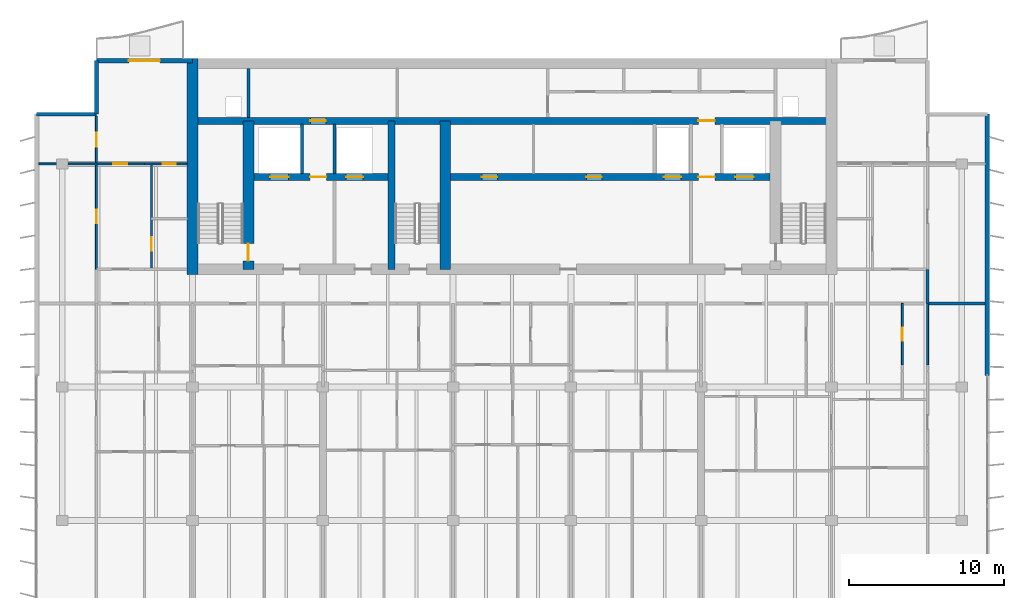
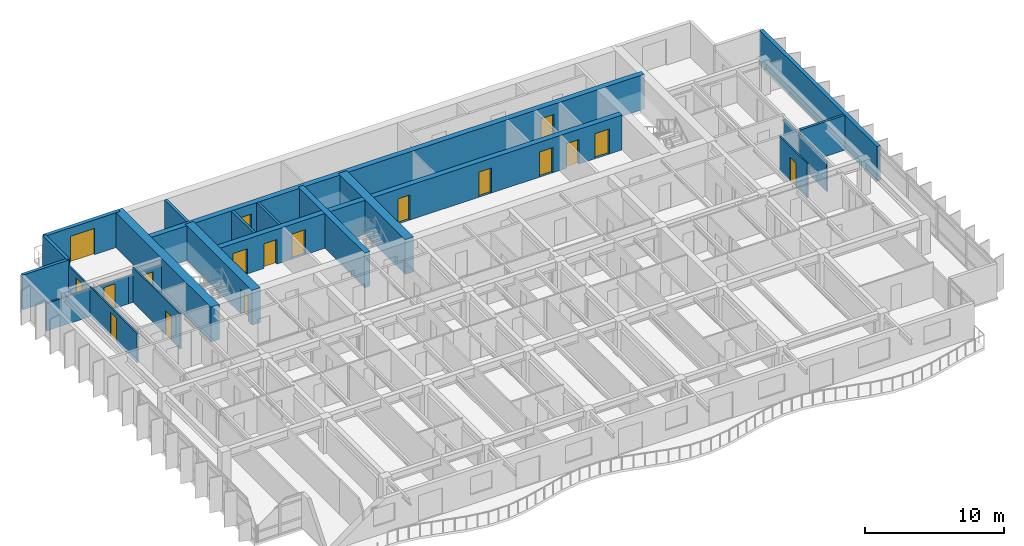
# One storey, part 10 of 17: 21 walls, 18 doors, 18 openings.
"""IFC4 building model written with IfcOpenShell, lengths in metres."""

from ifc_helpers import new_model, si_unit, direction, frame, frame_2d, origin, place, context, subcontext, project, spatial, rectangle, extrude, material, layer, layer_set, type_object, element, fill, save


model = new_model("IFC4")

# Units and contexts
model_context = context("Model", 3, precision=1e-05, world=origin(), true_north=direction((0.0, 1.0)))
body_context = subcontext(model_context, "Body", "Model", "MODEL_VIEW")
ifc_project = project(units=[si_unit("LENGTHUNIT", "METRE"), si_unit("AREAUNIT", "SQUARE_METRE"), si_unit("VOLUMEUNIT", "CUBIC_METRE"), si_unit("PLANEANGLEUNIT", "RADIAN"), si_unit("MASSUNIT", "GRAM", prefix="KILO")], contexts=[model_context])

# Site, building, storey
site_placement = place(None, origin())
site = spatial("IfcSite", under=ifc_project, at=site_placement, CompositionType="ELEMENT")
building_placement = place(site_placement, origin())
building = spatial("IfcBuilding", under=site, at=building_placement, Name="Caelmar Bay Residences", CompositionType="ELEMENT")
storey_placement = place(building_placement, frame((0.0, 0.0, 262.800048828125)))
storey = spatial("IfcBuildingStorey", under=building, at=storey_placement, Name="L74", CompositionType="ELEMENT", Elevation=262.800048828125)

# Wall
ifc_material_1 = material(Name="Concrete f'c 55 MPa (8,000 psi)", Category="concrete")
ifc_layer_1 = layer(ifc_material_1, 0.699951171875)
ifc_layer_set_1 = layer_set([ifc_layer_1], Name="Concrete f'c 55 MPa (8,000 psi)")
wall_type_1 = type_object("IfcWallType", Name="SW-COR-700", PredefinedType="SHEAR", material=ifc_layer_set_1)
wall_1_placement = place(storey_placement, frame((18.300048828125, 36.64990234375, 0.0), z_axis=(0.0, 0.0, 1.0), x_axis=(0.0, 1.0, 0.0)))
element("IfcWall", 1, at=wall_1_placement, inside=storey, type_object=wall_type_1, Name="L74 Rear Core West Shear Wall", PredefinedType="SHEAR", context=body_context, shape_type="SweptSolid", body=[
    extrude(rectangle(XDim=13.9501953125, YDim=0.699951171875, at=frame_2d((6.97509765625, 0.0))), origin(), (0.0, 0.0, 1.0), 3.050048828125),
])

# Wall, opening, door
wall_2_placement = place(storey_placement, frame((21.89990234375, 37.0, 0.0), z_axis=(0.0, 0.0, 1.0), x_axis=(0.0, 1.0, 0.0)))
wall_2 = element("IfcWall", 2, at=wall_2_placement, inside=storey, type_object=wall_type_1, Name="L74 Core Structural Web Wall ST1E", PredefinedType="SHEAR", context=body_context, shape_type="SweptSolid", body=[
    extrude(rectangle(XDim=9.574951171875, YDim=0.699951171875, at=frame_2d((4.78759765625, 0.0))), origin(), (0.0, 0.0, 1.0), 3.050048828125),
])
opening_1_placement = place(wall_2_placement, frame((0.550048828125, 0.0, 0.0)))
opening_1 = element("IfcOpeningElement", 3, at=opening_1_placement, cuts=wall_2, Name="Opening D-L74-107", PredefinedType="OPENING", context=body_context, shape_type="SweptSolid", body=[
    extrude(rectangle(XDim=1.10009765625, YDim=2.14990234375, at=frame_2d((0.550048828125, 1.074951171875))), frame((0.0, 0.35986328125, 0.0), z_axis=(0.0, -1.0, 0.0), x_axis=(1.0, 0.0, 0.0)), (0.0, 0.0, 1.0), 0.719970703125),
])
ifc_material_2 = material(Name="Fire-rated steel and walnut architectural door assembly", Category="steel")
ifc_layer_2 = layer(ifc_material_2, 0.050048828125)
ifc_layer_set_2 = layer_set([ifc_layer_2], Name="Fire-rated steel and walnut architectural door assembly")
door_type_1 = type_object("IfcDoorType", Name="D-STAIR-1100", OperationType="NOTDEFINED", PredefinedType="DOOR", material=ifc_layer_set_2)
door_1_placement = place(opening_1_placement, origin())
door_1 = element("IfcDoor", 4, at=door_1_placement, inside=storey, type_object=door_type_1, Name="L74 Firefighting Lobby West Door", OperationType="SINGLE_SWING_LEFT", OverallHeight=2.14990234375, OverallWidth=1.10009765625, PredefinedType="DOOR", context=body_context, shape_type="SweptSolid", body=[
    extrude(rectangle(XDim=1.10009765625, YDim=2.14990234375, at=frame_2d((0.550048828125, 1.074951171875))), frame((0.0, 0.02490234375, 0.0), z_axis=(0.0, -1.0, 0.0), x_axis=(1.0, 0.0, 0.0)), (0.0, 0.0, 1.0), 0.050048828125),
])
fill(opening_1, door_1)

# Walls
wall_3_placement = place(storey_placement, frame((34.60009765625, 37.0, 0.0), z_axis=(0.0, 0.0, 1.0), x_axis=(0.0, 1.0, 0.0)))
element("IfcWall", 5, at=wall_3_placement, inside=storey, type_object=wall_type_1, Name="L74 Core Structural Web Wall ST3E", PredefinedType="SHEAR", context=body_context, shape_type="SweptSolid", body=[
    extrude(rectangle(XDim=9.574951171875, YDim=0.699951171875, at=frame_2d((4.78759765625, 0.0))), origin(), (0.0, 0.0, 1.0), 3.050048828125),
])
ifc_material_3 = material(Name="Concrete f'c 70 MPa (10,000 psi)", Category="concrete")
ifc_layer_3 = layer(ifc_material_3, 0.449951171875)
ifc_layer_set_3 = layer_set([ifc_layer_3], Name="Concrete f'c 70 MPa (10,000 psi)")
wall_type_2 = type_object("IfcWallType", Name="SW-WEB-450", PredefinedType="SHEAR", material=ifc_layer_set_3)
wall_4_placement = place(storey_placement, frame((31.125, 37.0, 0.0), z_axis=(0.0, 0.0, 1.0), x_axis=(0.0, 1.0, 0.0)))
element("IfcWall", 6, at=wall_4_placement, inside=storey, type_object=wall_type_2, Name="L74 Core Structural Web Wall ST3W", PredefinedType="SHEAR", context=body_context, shape_type="SweptSolid", body=[
    extrude(rectangle(XDim=9.574951171875, YDim=0.449951171875, at=frame_2d((4.78759765625, 0.0))), origin(), (0.0, 0.0, 1.0), 3.050048828125),
])

# Wall, openings, doors
wall_5_placement = place(storey_placement, frame((22.25, 42.949951171875, 0.0), z_axis=(0.0, 0.0, 1.0), x_axis=(1.0, 0.0, 0.0)))
wall_5 = element("IfcWall", 7, at=wall_5_placement, inside=storey, type_object=wall_type_2, Name="L74 Core Structural Web Wall LFR", PredefinedType="SHEAR", context=body_context, shape_type="SweptSolid", body=[
    extrude(rectangle(XDim=33.300048828125, YDim=0.449951171875, at=frame_2d((16.64990234375, 0.0))), origin(), (0.0, 0.0, 1.0), 3.050048828125),
])
opening_2_placement = place(wall_5_placement, frame((1.050048828125, 0.0, 0.0)))
opening_2 = element("IfcOpeningElement", 8, at=opening_2_placement, cuts=wall_5, Name="Opening LD2", PredefinedType="OPENING", context=body_context, shape_type="SweptSolid", body=[
    extrude(rectangle(XDim=1.199951171875, YDim=2.199951171875, at=frame_2d((0.60009765625, 1.10009765625))), frame((0.0, 0.23486328125, 0.0), z_axis=(0.0, -1.0, 0.0), x_axis=(1.0, 0.0, 0.0)), (0.0, 0.0, 1.0), 0.469970703125),
])
opening_3_placement = place(wall_5_placement, frame((31.050048828125, 0.0, 0.0)))
opening_3 = element("IfcOpeningElement", 9, at=opening_3_placement, cuts=wall_5, Name="Opening LD2", PredefinedType="OPENING", context=body_context, shape_type="SweptSolid", body=[
    extrude(rectangle(XDim=1.199951171875, YDim=2.199951171875, at=frame_2d((0.60009765625, 1.10009765625))), frame((0.0, 0.23486328125, 0.0), z_axis=(0.0, -1.0, 0.0), x_axis=(1.0, 0.0, 0.0)), (0.0, 0.0, 1.0), 0.469970703125),
])
opening_4_placement = place(wall_5_placement, frame((26.449951171875, 0.0, 0.0)))
opening_4 = element("IfcOpeningElement", 10, at=opening_4_placement, cuts=wall_5, Name="Opening LD1", PredefinedType="OPENING", context=body_context, shape_type="SweptSolid", body=[
    extrude(rectangle(XDim=1.10009765625, YDim=2.199951171875, at=frame_2d((0.550048828125, 1.10009765625))), frame((0.0, 0.23486328125, 0.0), z_axis=(0.0, -1.0, 0.0), x_axis=(1.0, 0.0, 0.0)), (0.0, 0.0, 1.0), 0.469970703125),
])
opening_5_placement = place(wall_5_placement, frame((5.949951171875, 0.0, 0.0)))
opening_5 = element("IfcOpeningElement", 11, at=opening_5_placement, cuts=wall_5, Name="Opening LD1", PredefinedType="OPENING", context=body_context, shape_type="SweptSolid", body=[
    extrude(rectangle(XDim=1.10009765625, YDim=2.199951171875, at=frame_2d((0.550048828125, 1.10009765625))), frame((0.0, 0.23486328125, 0.0), z_axis=(0.0, -1.0, 0.0), x_axis=(1.0, 0.0, 0.0)), (0.0, 0.0, 1.0), 0.469970703125),
])
opening_6_placement = place(wall_5_placement, frame((3.625, 0.0, 0.0)))
opening_6 = element("IfcOpeningElement", 12, at=opening_6_placement, cuts=wall_5, Name="Opening D-L74-108", PredefinedType="OPENING", context=body_context, shape_type="SweptSolid", body=[
    extrude(rectangle(XDim=1.050048828125, YDim=2.14990234375, at=frame_2d((0.52490234375, 1.074951171875))), frame((0.0, 0.23486328125, 0.0), z_axis=(0.0, -1.0, 0.0), x_axis=(1.0, 0.0, 0.0)), (0.0, 0.0, 1.0), 0.469970703125),
])
opening_7_placement = place(wall_5_placement, frame((28.675048828125, 0.0, 0.0)))
opening_7 = element("IfcOpeningElement", 13, at=opening_7_placement, cuts=wall_5, Name="Opening D-L74-111", PredefinedType="OPENING", context=body_context, shape_type="SweptSolid", body=[
    extrude(rectangle(XDim=1.050048828125, YDim=2.14990234375, at=frame_2d((0.52490234375, 1.074951171875))), frame((0.0, 0.23486328125, 0.0), z_axis=(0.0, -1.0, 0.0), x_axis=(1.0, 0.0, 0.0)), (0.0, 0.0, 1.0), 0.469970703125),
])
opening_8_placement = place(wall_5_placement, frame((14.699951171875, 0.0, 0.0)))
opening_8 = element("IfcOpeningElement", 14, at=opening_8_placement, cuts=wall_5, Name="Opening D-L74-114", PredefinedType="OPENING", context=body_context, shape_type="SweptSolid", body=[
    extrude(rectangle(XDim=1.0, YDim=2.199951171875, at=frame_2d((0.5, 1.10009765625))), frame((0.0, 0.23486328125, 0.0), z_axis=(0.0, -1.0, 0.0), x_axis=(1.0, 0.0, 0.0)), (0.0, 0.0, 1.0), 0.469970703125),
])
opening_9_placement = place(wall_5_placement, frame((21.449951171875, 0.0, 0.0)))
opening_9 = element("IfcOpeningElement", 15, at=opening_9_placement, cuts=wall_5, Name="Opening D-L74-115", PredefinedType="OPENING", context=body_context, shape_type="SweptSolid", body=[
    extrude(rectangle(XDim=1.0, YDim=2.199951171875, at=frame_2d((0.5, 1.10009765625))), frame((0.0, 0.23486328125, 0.0), z_axis=(0.0, -1.0, 0.0), x_axis=(1.0, 0.0, 0.0)), (0.0, 0.0, 1.0), 0.469970703125),
])
ifc_layer_4 = layer(ifc_material_2, 0.050048828125)
ifc_layer_set_4 = layer_set([ifc_layer_4], Name="Fire-rated steel and walnut architectural door assembly")
door_type_2 = type_object("IfcDoorType", Name="D-FSAE-1050", OperationType="NOTDEFINED", PredefinedType="DOOR", material=ifc_layer_set_4)
door_2_placement = place(opening_6_placement, origin())
door_2 = element("IfcDoor", 16, at=door_2_placement, inside=storey, type_object=door_type_2, Name="L74 Firefighting Lobby West Door", OperationType="SINGLE_SWING_RIGHT", OverallHeight=2.14990234375, OverallWidth=1.050048828125, PredefinedType="DOOR", context=body_context, shape_type="SweptSolid", body=[
    extrude(rectangle(XDim=1.050048828125, YDim=2.14990234375, at=frame_2d((0.52490234375, 1.074951171875))), frame((0.0, 0.02490234375, 0.0), z_axis=(0.0, -1.0, 0.0), x_axis=(1.0, 0.0, 0.0)), (0.0, 0.0, 1.0), 0.050048828125),
])
fill(opening_6, door_2)
door_3_placement = place(opening_7_placement, origin())
door_3 = element("IfcDoor", 17, at=door_3_placement, inside=storey, type_object=door_type_2, Name="L74 Firefighting Lobby East Door", OperationType="SINGLE_SWING_LEFT", OverallHeight=2.14990234375, OverallWidth=1.050048828125, PredefinedType="DOOR", context=body_context, shape_type="SweptSolid", body=[
    extrude(rectangle(XDim=1.050048828125, YDim=2.14990234375, at=frame_2d((0.52490234375, 1.074951171875))), frame((0.0, 0.02490234375, 0.0), z_axis=(0.0, -1.0, 0.0), x_axis=(1.0, 0.0, 0.0)), (0.0, 0.0, 1.0), 0.050048828125),
])
fill(opening_7, door_3)
ifc_material_4 = material(Name="Brushed bronze stainless-steel fire-rated lift landing doors", Category="steel")
ifc_layer_5 = layer(ifc_material_4, 0.050048828125)
ifc_layer_set_5 = layer_set([ifc_layer_5], Name="Brushed bronze stainless-steel fire-rated lift landing doors")
door_type_3 = type_object("IfcDoorType", Name="D-LND-1100", OperationType="DOUBLE_DOOR_SLIDING", PredefinedType="DOOR", material=ifc_layer_set_5)
door_4_placement = place(opening_4_placement, origin())
door_4 = element("IfcDoor", 18, at=door_4_placement, inside=storey, type_object=door_type_3, Name="L74 LP6 Sliding Landing Door", OperationType="DOUBLE_DOOR_SLIDING", OverallHeight=2.199951171875, OverallWidth=1.10009765625, PredefinedType="DOOR", context=body_context, shape_type="SweptSolid", body=[
    extrude(rectangle(XDim=1.10009765625, YDim=2.199951171875, at=frame_2d((0.550048828125, 1.10009765625))), frame((0.0, 0.02490234375, 0.0), z_axis=(0.0, -1.0, 0.0), x_axis=(1.0, 0.0, 0.0)), (0.0, 0.0, 1.0), 0.050048828125),
])
fill(opening_4, door_4)
door_5_placement = place(opening_5_placement, origin())
door_5 = element("IfcDoor", 19, at=door_5_placement, inside=storey, type_object=door_type_3, Name="L74 LP7 Sliding Landing Door", OperationType="DOUBLE_DOOR_SLIDING", OverallHeight=2.199951171875, OverallWidth=1.10009765625, PredefinedType="DOOR", context=body_context, shape_type="SweptSolid", body=[
    extrude(rectangle(XDim=1.10009765625, YDim=2.199951171875, at=frame_2d((0.550048828125, 1.10009765625))), frame((0.0, 0.02490234375, 0.0), z_axis=(0.0, -1.0, 0.0), x_axis=(1.0, 0.0, 0.0)), (0.0, 0.0, 1.0), 0.050048828125),
])
fill(opening_5, door_5)
ifc_material_5 = material(Name="Brushed stainless-steel FSAE sliding landing door", Category="steel")
ifc_layer_6 = layer(ifc_material_5, 0.050048828125)
ifc_layer_set_6 = layer_set([ifc_layer_6], Name="Brushed stainless-steel FSAE sliding landing door")
door_type_4 = type_object("IfcDoorType", Name="D-LND-1200", OperationType="DOUBLE_DOOR_SLIDING", PredefinedType="DOOR", material=ifc_layer_set_6)
door_6_placement = place(opening_2_placement, origin())
door_6 = element("IfcDoor", 20, at=door_6_placement, inside=storey, type_object=door_type_4, Name="L74 LF1 Sliding Landing Door", OperationType="DOUBLE_DOOR_SLIDING", OverallHeight=2.199951171875, OverallWidth=1.199951171875, PredefinedType="DOOR", context=body_context, shape_type="SweptSolid", body=[
    extrude(rectangle(XDim=1.199951171875, YDim=2.199951171875, at=frame_2d((0.60009765625, 1.10009765625))), frame((0.0, 0.02490234375, 0.0), z_axis=(0.0, -1.0, 0.0), x_axis=(1.0, 0.0, 0.0)), (0.0, 0.0, 1.0), 0.050048828125),
])
fill(opening_2, door_6)
door_7_placement = place(opening_3_placement, origin())
door_7 = element("IfcDoor", 21, at=door_7_placement, inside=storey, type_object=door_type_4, Name="L74 LF2 Sliding Landing Door", OperationType="DOUBLE_DOOR_SLIDING", OverallHeight=2.199951171875, OverallWidth=1.199951171875, PredefinedType="DOOR", context=body_context, shape_type="SweptSolid", body=[
    extrude(rectangle(XDim=1.199951171875, YDim=2.199951171875, at=frame_2d((0.60009765625, 1.10009765625))), frame((0.0, 0.02490234375, 0.0), z_axis=(0.0, -1.0, 0.0), x_axis=(1.0, 0.0, 0.0)), (0.0, 0.0, 1.0), 0.050048828125),
])
fill(opening_3, door_7)
ifc_layer_7 = layer(ifc_material_2, 0.050048828125)
ifc_layer_set_7 = layer_set([ifc_layer_7], Name="Fire-rated steel and walnut architectural door assembly")
door_type_5 = type_object("IfcDoorType", Name="D-UNIT-1000", OperationType="NOTDEFINED", PredefinedType="DOOR", material=ifc_layer_set_7)
door_8_placement = place(opening_8_placement, origin())
door_8 = element("IfcDoor", 22, at=door_8_placement, inside=storey, type_object=door_type_5, Name="L74 Executive Study Door", OperationType="SINGLE_SWING_RIGHT", OverallHeight=2.199951171875, OverallWidth=1.0, PredefinedType="DOOR", context=body_context, shape_type="SweptSolid", body=[
    extrude(rectangle(XDim=1.0, YDim=2.199951171875, at=frame_2d((0.5, 1.10009765625))), frame((0.0, 0.02490234375, 0.0), z_axis=(0.0, -1.0, 0.0), x_axis=(1.0, 0.0, 0.0)), (0.0, 0.0, 1.0), 0.050048828125),
])
fill(opening_8, door_8)
door_9_placement = place(opening_9_placement, origin())
door_9 = element("IfcDoor", 23, at=door_9_placement, inside=storey, type_object=door_type_5, Name="L74 Residents Reading Lounge Door", OperationType="SINGLE_SWING_LEFT", OverallHeight=2.199951171875, OverallWidth=1.0, PredefinedType="DOOR", context=body_context, shape_type="SweptSolid", body=[
    extrude(rectangle(XDim=1.0, YDim=2.199951171875, at=frame_2d((0.5, 1.10009765625))), frame((0.0, 0.02490234375, 0.0), z_axis=(0.0, -1.0, 0.0), x_axis=(1.0, 0.0, 0.0)), (0.0, 0.0, 1.0), 0.050048828125),
])
fill(opening_9, door_9)

wall_6_placement = place(storey_placement, frame((18.300048828125, 46.574951171875, 0.0), z_axis=(0.0, 0.0, 1.0), x_axis=(1.0, 0.0, 0.0)))
wall_6 = element("IfcWall", 24, at=wall_6_placement, inside=storey, type_object=wall_type_2, Name="L74 Core Structural Web Wall SRVS", PredefinedType="SHEAR", context=body_context, shape_type="SweptSolid", body=[
    extrude(rectangle(XDim=41.199951171875, YDim=0.449951171875, at=frame_2d((20.60009765625, 0.0))), origin(), (0.0, 0.0, 1.0), 3.050048828125),
])
opening_10_placement = place(wall_6_placement, frame((7.60009765625, 0.0, 0.0)))
opening_10 = element("IfcOpeningElement", 25, at=opening_10_placement, cuts=wall_6, Name="Opening D-L74-116", PredefinedType="OPENING", context=body_context, shape_type="SweptSolid", body=[
    extrude(rectangle(XDim=1.0, YDim=2.199951171875, at=frame_2d((0.5, 1.10009765625))), frame((0.0, 0.23486328125, 0.0), z_axis=(0.0, -1.0, 0.0), x_axis=(1.0, 0.0, 0.0)), (0.0, 0.0, 1.0), 0.469970703125),
])
opening_11_placement = place(wall_6_placement, frame((32.625, 0.0, 0.0)))
opening_11 = element("IfcOpeningElement", 26, at=opening_11_placement, cuts=wall_6, Name="Opening D-L74-117", PredefinedType="OPENING", context=body_context, shape_type="SweptSolid", body=[
    extrude(rectangle(XDim=1.050048828125, YDim=2.14990234375, at=frame_2d((0.52490234375, 1.074951171875))), frame((0.0, 0.23486328125, 0.0), z_axis=(0.0, -1.0, 0.0), x_axis=(1.0, 0.0, 0.0)), (0.0, 0.0, 1.0), 0.469970703125),
])
door_10_placement = place(opening_11_placement, origin())
door_10 = element("IfcDoor", 27, at=door_10_placement, inside=storey, type_object=door_type_2, Name="L74 East Core Service Corridor Door", OperationType="SINGLE_SWING_LEFT", OverallHeight=2.14990234375, OverallWidth=1.050048828125, PredefinedType="DOOR", context=body_context, shape_type="SweptSolid", body=[
    extrude(rectangle(XDim=1.050048828125, YDim=2.14990234375, at=frame_2d((0.52490234375, 1.074951171875))), frame((0.0, 0.02490234375, 0.0), z_axis=(0.0, -1.0, 0.0), x_axis=(1.0, 0.0, 0.0)), (0.0, 0.0, 1.0), 0.050048828125),
])
fill(opening_11, door_10)
door_11_placement = place(opening_10_placement, origin())
door_11 = element("IfcDoor", 28, at=door_11_placement, inside=storey, type_object=door_type_5, Name="L74 Package Concierge Office Door", OperationType="SINGLE_SWING_RIGHT", OverallHeight=2.199951171875, OverallWidth=1.0, PredefinedType="DOOR", context=body_context, shape_type="SweptSolid", body=[
    extrude(rectangle(XDim=1.0, YDim=2.199951171875, at=frame_2d((0.5, 1.10009765625))), frame((0.0, 0.02490234375, 0.0), z_axis=(0.0, -1.0, 0.0), x_axis=(1.0, 0.0, 0.0)), (0.0, 0.0, 1.0), 0.050048828125),
])
fill(opening_10, door_11)

# Walls
ifc_material_6 = material(Name="Double-stud acoustic fire-rated gypsum partition 180 mm")
ifc_layer_8 = layer(ifc_material_6, 0.179931640625)
ifc_layer_set_8 = layer_set([ifc_layer_8], Name="Double-stud acoustic fire-rated gypsum partition 180 mm")
wall_type_3 = type_object("IfcWallType", Name="W-COR-200", PredefinedType="PARTITIONING", material=ifc_layer_set_8)
wall_7_placement = place(storey_placement, frame((65.699951171875, 34.804931640625, 0.0), z_axis=(0.0, 0.0, 1.0), x_axis=(0.0, 1.0, 0.0)))
element("IfcWall", 29, at=wall_7_placement, inside=storey, type_object=wall_type_3, Name="L74 Partition Wall V102", PredefinedType="PARTITIONING", context=body_context, shape_type="SweptSolid", body=[
    extrude(rectangle(XDim=2.195068359375, YDim=0.179931640625, at=frame_2d((1.09765625, 0.0))), origin(), (0.0, 0.0, 1.0), 2.62890625),
])
ifc_material_7 = material(Name="Precast concrete f'c 40 MPa (6,000 psi)", Category="concrete")
ifc_layer_9 = layer(ifc_material_7, 0.25)
ifc_layer_set_9 = layer_set([ifc_layer_9], Name="Precast concrete f'c 40 MPa (6,000 psi)")
wall_type_4 = type_object("IfcWallType", Name="W-EXT-250", PredefinedType="ELEMENTEDWALL", material=ifc_layer_set_9)
wall_8_placement = place(storey_placement, frame((8.25, 47.0, 0.0), z_axis=(0.0, 0.0, 1.0), x_axis=(1.0, 0.0, 0.0)))
element("IfcWall", 30, at=wall_8_placement, inside=storey, type_object=wall_type_4, Name="L74 NNW-H Notch Wall", PredefinedType="ELEMENTEDWALL", context=body_context, shape_type="SweptSolid", body=[
    extrude(rectangle(XDim=3.85009765625, YDim=0.25, at=frame_2d((1.925048828125, 0.0))), origin(), (0.0, 0.0, 1.0), 3.050048828125),
])
wall_9_placement = place(storey_placement, frame((12.10009765625, 47.0, 0.0), z_axis=(0.0, 0.0, 1.0), x_axis=(0.0, 1.0, 0.0)))
element("IfcWall", 31, at=wall_9_placement, inside=storey, type_object=wall_type_4, Name="L74 NNW-V Notch Wall", PredefinedType="ELEMENTEDWALL", context=body_context, shape_type="SweptSolid", body=[
    extrude(rectangle(XDim=3.449951171875, YDim=0.25, at=frame_2d((1.72509765625, 0.0))), origin(), (0.0, 0.0, 1.0), 3.050048828125),
])
ifc_layer_10 = layer(ifc_material_7, 0.300048828125)
ifc_layer_set_10 = layer_set([ifc_layer_10], Name="Precast concrete f'c 40 MPa (6,000 psi)")
wall_type_5 = type_object("IfcWallType", Name="W-EXT-300", PredefinedType="STANDARD", material=ifc_layer_set_10)
wall_10_placement = place(storey_placement, frame((69.550048828125, 47.0, 0.0), z_axis=(0.0, 0.0, 1.0), x_axis=(0.0, -1.0, 0.0)))
element("IfcWall", 32, at=wall_10_placement, inside=storey, type_object=wall_type_5, Name="L74 East Rear Exterior Wall", PredefinedType="STANDARD", context=body_context, shape_type="SweptSolid", body=[
    extrude(rectangle(XDim=16.85009765625, YDim=0.300048828125, at=frame_2d((8.425048828125, 0.0))), origin(), (0.0, 0.0, 1.0), 3.050048828125),
])

# Wall, opening, door
wall_11_placement = place(storey_placement, frame((12.10009765625, 50.449951171875, 0.0), z_axis=(0.0, 0.0, 1.0), x_axis=(1.0, 0.0, 0.0)))
wall_11 = element("IfcWall", 33, at=wall_11_placement, inside=storey, type_object=wall_type_5, Name="L74 North-West Wing Exterior Wall", PredefinedType="STANDARD", context=body_context, shape_type="SweptSolid", body=[
    extrude(rectangle(XDim=6.199951171875, YDim=0.300048828125, at=frame_2d((3.10009765625, 0.0))), origin(), (0.0, 0.0, 1.0), 3.050048828125),
])
opening_12_placement = place(wall_11_placement, frame((2.10009765625, 0.0, 0.0)))
opening_12 = element("IfcOpeningElement", 34, at=opening_12_placement, cuts=wall_11, Name="Opening L74-BDNW", PredefinedType="OPENING", context=body_context, shape_type="SweptSolid", body=[
    extrude(rectangle(XDim=2.0, YDim=2.300048828125, at=frame_2d((1.0, 1.14990234375))), frame((0.0, 0.159912109375, 0.0), z_axis=(0.0, -1.0, 0.0), x_axis=(1.0, 0.0, 0.0)), (0.0, 0.0, 1.0), 0.320068359375),
])
ifc_material_8 = material(Name="Anodised bronze thermally broken sliding glass door", Category="glass")
ifc_layer_11 = layer(ifc_material_8, 0.050048828125)
ifc_layer_set_11 = layer_set([ifc_layer_11], Name="Anodised bronze thermally broken sliding glass door")
door_type_6 = type_object("IfcDoorType", Name="D-BAL-2000", OperationType="DOUBLE_DOOR_SLIDING", PredefinedType="DOOR", material=ifc_layer_set_11)
door_12_placement = place(opening_12_placement, origin())
door_12 = element("IfcDoor", 35, at=door_12_placement, inside=storey, type_object=door_type_6, Name="L74 North-West Balcony Door", OperationType="DOUBLE_DOOR_SLIDING", OverallHeight=2.300048828125, OverallWidth=2.0, PredefinedType="DOOR", context=body_context, shape_type="SweptSolid", body=[
    extrude(rectangle(XDim=2.0, YDim=2.300048828125, at=frame_2d((1.0, 1.14990234375))), frame((0.0, 0.02490234375, 0.0), z_axis=(0.0, -1.0, 0.0), x_axis=(1.0, 0.0, 0.0)), (0.0, 0.0, 1.0), 0.050048828125),
])
fill(opening_12, door_12)

# Walls
ifc_material_9 = material(Name="Fire-rated masonry and gypsum shaftliner assembly 200 mm", Category="masonry")
ifc_layer_12 = layer(ifc_material_9, 0.199951171875)
ifc_layer_set_12 = layer_set([ifc_layer_12], Name="Fire-rated masonry and gypsum shaftliner assembly 200 mm")
wall_type_6 = type_object("IfcWallType", Name="W-FSAE-200", PredefinedType="PARTITIONING", material=ifc_layer_set_12)
wall_12_placement = place(storey_placement, frame((21.89990234375, 46.794921875, 0.0), z_axis=(0.0, 0.0, 1.0), x_axis=(0.0, 1.0, 0.0)))
element("IfcWall", 36, at=wall_12_placement, inside=storey, type_object=wall_type_6, Name="L74 Partition Wall V021", PredefinedType="PARTITIONING", context=body_context, shape_type="SweptSolid", body=[
    extrude(rectangle(XDim=3.16015625, YDim=0.199951171875, at=frame_2d((1.580078125, 0.0))), origin(), (0.0, 0.0, 1.0), 3.050048828125),
])
for number, where, z_axis, x_axis, name in (
    (37, (25.35009765625, 43.169921875, 0.0), (0.0, 0.0, 1.0), (0.0, 1.0, 0.0), "L74 Partition Wall V028"),
    (38, (27.449951171875, 43.169921875, 0.0), (0.0, 0.0, 1.0), (0.0, 1.0, 0.0), "L74 Partition Wall V035"),
):
    element("IfcWall", number, at=place(storey_placement, frame(where, z_axis=z_axis, x_axis=x_axis)), inside=storey, type_object=wall_type_6, Name=name, PredefinedType="PARTITIONING", context=body_context, shape_type="SweptSolid", body=[
        extrude(rectangle(XDim=3.18505859375, YDim=0.199951171875, at=frame_2d((1.592529296875, 0.0))), origin(), (0.0, 0.0, 1.0), 3.050048828125),
    ])

# Wall, openings, doors
ifc_material_10 = material(Name="Acoustic metal-stud gypsum partition 120 mm")
ifc_layer_13 = layer(ifc_material_10, 0.1201171875)
ifc_layer_set_13 = layer_set([ifc_layer_13], Name="Acoustic metal-stud gypsum partition 120 mm")
wall_type_7 = type_object("IfcWallType", Name="W-PRT-120", PredefinedType="PARTITIONING", material=ifc_layer_set_13)
wall_13_placement = place(storey_placement, frame((12.10009765625, 37.0048828125, 0.0), z_axis=(0.0, 0.0, 1.0), x_axis=(0.0, 1.0, 0.0)))
wall_13 = element("IfcWall", 39, at=wall_13_placement, inside=storey, type_object=wall_type_7, Name="L74 Partition Wall V007", PredefinedType="PARTITIONING", context=body_context, shape_type="SweptSolid", body=[
    extrude(rectangle(XDim=9.875, YDim=0.1201171875, at=frame_2d((4.9375, 0.0))), origin(), (0.0, 0.0, 1.0), 2.577880859375),
])
opening_13_placement = place(wall_13_placement, frame((2.947509765625, 0.0, 0.0)))
opening_13 = element("IfcOpeningElement", 40, at=opening_13_placement, cuts=wall_13, Name="Opening D-L74-171", PredefinedType="OPENING", context=body_context, shape_type="SweptSolid", body=[
    extrude(rectangle(XDim=0.89990234375, YDim=2.14990234375, at=frame_2d((0.449951171875, 1.074951171875))), frame((0.0, 0.070068359375, 0.0), z_axis=(0.0, -1.0, 0.0), x_axis=(1.0, 0.0, 0.0)), (0.0, 0.0, 1.0), 0.14013671875),
])
opening_14_placement = place(wall_13_placement, frame((7.885009765625, 0.0, 0.0)))
opening_14 = element("IfcOpeningElement", 41, at=opening_14_placement, cuts=wall_13, Name="Opening D-L74-172", PredefinedType="OPENING", context=body_context, shape_type="SweptSolid", body=[
    extrude(rectangle(XDim=0.89990234375, YDim=2.14990234375, at=frame_2d((0.449951171875, 1.074951171875))), frame((0.0, 0.070068359375, 0.0), z_axis=(0.0, -1.0, 0.0), x_axis=(1.0, 0.0, 0.0)), (0.0, 0.0, 1.0), 0.14013671875),
])
ifc_material_11 = material(Name="Solid walnut timber interior door leaf and frame", Category="wood")
ifc_layer_14 = layer(ifc_material_11, 0.050048828125)
ifc_layer_set_14 = layer_set([ifc_layer_14], Name="Solid walnut timber interior door leaf and frame")
door_type_7 = type_object("IfcDoorType", Name="D-ROOM-900", OperationType="NOTDEFINED", PredefinedType="DOOR", material=ifc_layer_set_14)
door_13_placement = place(opening_13_placement, origin())
door_13 = element("IfcDoor", 42, at=door_13_placement, inside=storey, type_object=door_type_7, Name="L74 Residence WA Sun Study Door", OperationType="SINGLE_SWING_LEFT", OverallHeight=2.14990234375, OverallWidth=0.89990234375, PredefinedType="DOOR", context=body_context, shape_type="SweptSolid", body=[
    extrude(rectangle(XDim=0.89990234375, YDim=2.14990234375, at=frame_2d((0.449951171875, 1.074951171875))), frame((0.0, 0.02490234375, 0.0), z_axis=(0.0, -1.0, 0.0), x_axis=(1.0, 0.0, 0.0)), (0.0, 0.0, 1.0), 0.050048828125),
])
fill(opening_13, door_13)
door_14_placement = place(opening_14_placement, origin())
door_14 = element("IfcDoor", 43, at=door_14_placement, inside=storey, type_object=door_type_7, Name="L74 Residence WA North Sitting Alcove Door", OperationType="SINGLE_SWING_RIGHT", OverallHeight=2.14990234375, OverallWidth=0.89990234375, PredefinedType="DOOR", context=body_context, shape_type="SweptSolid", body=[
    extrude(rectangle(XDim=0.89990234375, YDim=2.14990234375, at=frame_2d((0.449951171875, 1.074951171875))), frame((0.0, 0.02490234375, 0.0), z_axis=(0.0, -1.0, 0.0), x_axis=(1.0, 0.0, 0.0)), (0.0, 0.0, 1.0), 0.050048828125),
])
fill(opening_14, door_14)

# Wall, opening, door
wall_14_placement = place(storey_placement, frame((15.64990234375, 37.0, 0.0), z_axis=(0.0, 0.0, 1.0), x_axis=(0.0, 1.0, 0.0)))
wall_14 = element("IfcWall", 44, at=wall_14_placement, inside=storey, type_object=wall_type_7, Name="L74 Partition Wall V012", PredefinedType="PARTITIONING", context=body_context, shape_type="SweptSolid", body=[
    extrude(rectangle(XDim=6.800048828125, YDim=0.1201171875, at=frame_2d((3.39990234375, 0.0))), origin(), (0.0, 0.0, 1.0), 3.050048828125),
])
opening_15_placement = place(wall_14_placement, frame((1.20703125, 0.0, 0.0)))
opening_15 = element("IfcOpeningElement", 45, at=opening_15_placement, cuts=wall_14, Name="Opening D-L74-169", PredefinedType="OPENING", context=body_context, shape_type="SweptSolid", body=[
    extrude(rectangle(XDim=0.85009765625, YDim=2.10009765625, at=frame_2d((0.425048828125, 1.050048828125))), frame((0.0, 0.070068359375, 0.0), z_axis=(0.0, -1.0, 0.0), x_axis=(1.0, 0.0, 0.0)), (0.0, 0.0, 1.0), 0.14013671875),
])
ifc_layer_15 = layer(ifc_material_11, 0.050048828125)
ifc_layer_set_15 = layer_set([ifc_layer_15], Name="Solid walnut timber interior door leaf and frame")
door_type_8 = type_object("IfcDoorType", Name="D-BATH-850", OperationType="NOTDEFINED", PredefinedType="DOOR", material=ifc_layer_set_15)
door_15_placement = place(opening_15_placement, origin())
door_15 = element("IfcDoor", 46, at=door_15_placement, inside=storey, type_object=door_type_8, Name="L74 Residence WA Walk-In Closet Door", OperationType="SINGLE_SWING_LEFT", OverallHeight=2.10009765625, OverallWidth=0.85009765625, PredefinedType="DOOR", context=body_context, shape_type="SweptSolid", body=[
    extrude(rectangle(XDim=0.85009765625, YDim=2.10009765625, at=frame_2d((0.425048828125, 1.050048828125))), frame((0.0, 0.02490234375, 0.0), z_axis=(0.0, -1.0, 0.0), x_axis=(1.0, 0.0, 0.0)), (0.0, 0.0, 1.0), 0.050048828125),
])
fill(opening_15, door_15)

wall_15_placement = place(storey_placement, frame((64.071044921875, 30.840087890625, 0.0), z_axis=(0.0, 0.0, 1.0), x_axis=(0.0, 1.0, 0.0)))
wall_15 = element("IfcWall", 47, at=wall_15_placement, inside=storey, type_object=wall_type_7, Name="L74 Partition Wall V096", PredefinedType="PARTITIONING", context=body_context, shape_type="SweptSolid", body=[
    extrude(rectangle(XDim=3.9599609375, YDim=0.1201171875, at=frame_2d((1.97998046875, 0.0))), origin(), (0.0, 0.0, 1.0), 3.050048828125),
])
opening_16_placement = place(wall_15_placement, frame((1.554931640625, 0.0, 0.0)))
opening_16 = element("IfcOpeningElement", 48, at=opening_16_placement, cuts=wall_15, Name="Opening D-L74-162", PredefinedType="OPENING", context=body_context, shape_type="SweptSolid", body=[
    extrude(rectangle(XDim=0.85009765625, YDim=2.10009765625, at=frame_2d((0.425048828125, 1.050048828125))), frame((0.0, 0.070068359375, 0.0), z_axis=(0.0, -1.0, 0.0), x_axis=(1.0, 0.0, 0.0)), (0.0, 0.0, 1.0), 0.14013671875),
])
door_16_placement = place(opening_16_placement, origin())
door_16 = element("IfcDoor", 49, at=door_16_placement, inside=storey, type_object=door_type_8, Name="L74 Residence 06 En-Suite Bathroom 1 Door", OperationType="SINGLE_SWING_RIGHT", OverallHeight=2.10009765625, OverallWidth=0.85009765625, PredefinedType="DOOR", context=body_context, shape_type="SweptSolid", body=[
    extrude(rectangle(XDim=0.85009765625, YDim=2.10009765625, at=frame_2d((0.425048828125, 1.050048828125))), frame((0.0, 0.02490234375, 0.0), z_axis=(0.0, -1.0, 0.0), x_axis=(1.0, 0.0, 0.0)), (0.0, 0.0, 1.0), 0.050048828125),
])
fill(opening_16, door_16)

# Wall
wall_16_placement = place(storey_placement, frame((65.699951171875, 30.840087890625, 0.0), z_axis=(0.0, 0.0, 1.0), x_axis=(0.0, 1.0, 0.0)))
element("IfcWall", 50, at=wall_16_placement, inside=storey, type_object=wall_type_7, Name="L74 Partition Wall V101", PredefinedType="PARTITIONING", context=body_context, shape_type="SweptSolid", body=[
    extrude(rectangle(XDim=3.9599609375, YDim=0.1201171875, at=frame_2d((1.97998046875, 0.0))), origin(), (0.0, 0.0, 1.0), 2.62890625),
])

# Wall, opening, door
wall_17_placement = place(storey_placement, frame((8.39501953125, 43.800048828125, 0.0), z_axis=(0.0, 0.0, 1.0), x_axis=(1.0, 0.0, 0.0)))
wall_17 = element("IfcWall", 51, at=wall_17_placement, inside=storey, type_object=wall_type_7, Name="L74 Partition Wall H137", PredefinedType="PARTITIONING", context=body_context, shape_type="SweptSolid", body=[
    extrude(rectangle(XDim=6.802978515625, YDim=0.1201171875, at=frame_2d((3.4013671875, 0.0))), origin(), (0.0, 0.0, 1.0), 2.41796875),
])
opening_17_placement = place(wall_17_placement, frame((4.803955078125, 0.0, 0.0)))
opening_17 = element("IfcOpeningElement", 52, at=opening_17_placement, cuts=wall_17, Name="Opening D-L74-168", PredefinedType="OPENING", context=body_context, shape_type="SweptSolid", body=[
    extrude(rectangle(XDim=0.89990234375, YDim=2.14990234375, at=frame_2d((0.449951171875, 1.074951171875))), frame((0.0, 0.070068359375, 0.0), z_axis=(0.0, -1.0, 0.0), x_axis=(1.0, 0.0, 0.0)), (0.0, 0.0, 1.0), 0.14013671875),
])
door_17_placement = place(opening_17_placement, origin())
door_17 = element("IfcDoor", 53, at=door_17_placement, inside=storey, type_object=door_type_7, Name="L74 Residence WA Studio Living and Sleeping Room Door", OperationType="SINGLE_SWING_RIGHT", OverallHeight=2.14990234375, OverallWidth=0.89990234375, PredefinedType="DOOR", context=body_context, shape_type="SweptSolid", body=[
    extrude(rectangle(XDim=0.89990234375, YDim=2.14990234375, at=frame_2d((0.449951171875, 1.074951171875))), frame((0.0, 0.02490234375, 0.0), z_axis=(0.0, -1.0, 0.0), x_axis=(1.0, 0.0, 0.0)), (0.0, 0.0, 1.0), 0.050048828125),
])
fill(opening_17, door_17)

wall_18_placement = place(storey_placement, frame((15.202880859375, 43.800048828125, 0.0), z_axis=(0.0, 0.0, 1.0), x_axis=(1.0, 0.0, 0.0)))
wall_18 = element("IfcWall", 54, at=wall_18_placement, inside=storey, type_object=wall_type_7, Name="L74 Partition Wall H138", PredefinedType="PARTITIONING", context=body_context, shape_type="SweptSolid", body=[
    extrude(rectangle(XDim=2.752197265625, YDim=0.1201171875, at=frame_2d((1.3759765625, 0.0))), origin(), (0.0, 0.0, 1.0), 2.41796875),
])
opening_18_placement = place(wall_18_placement, frame((1.174560546875, 0.0, 0.0)))
opening_18 = element("IfcOpeningElement", 55, at=opening_18_placement, cuts=wall_18, Name="Opening D-L74-170", PredefinedType="OPENING", context=body_context, shape_type="SweptSolid", body=[
    extrude(rectangle(XDim=0.85009765625, YDim=2.10009765625, at=frame_2d((0.425048828125, 1.050048828125))), frame((0.0, 0.070068359375, 0.0), z_axis=(0.0, -1.0, 0.0), x_axis=(1.0, 0.0, 0.0)), (0.0, 0.0, 1.0), 0.14013671875),
])
door_18_placement = place(opening_18_placement, origin())
door_18 = element("IfcDoor", 56, at=door_18_placement, inside=storey, type_object=door_type_8, Name="L74 Residence WA Bathroom Door", OperationType="SINGLE_SWING_RIGHT", OverallHeight=2.10009765625, OverallWidth=0.85009765625, PredefinedType="DOOR", context=body_context, shape_type="SweptSolid", body=[
    extrude(rectangle(XDim=0.85009765625, YDim=2.10009765625, at=frame_2d((0.425048828125, 1.050048828125))), frame((0.0, 0.02490234375, 0.0), z_axis=(0.0, -1.0, 0.0), x_axis=(1.0, 0.0, 0.0)), (0.0, 0.0, 1.0), 0.050048828125),
])
fill(opening_18, door_18)

# Wall
ifc_material_12 = material(Name="Acoustic twin-stud fire-rated inter-tenancy partition 200 mm")
ifc_layer_16 = layer(ifc_material_12, 0.199951171875)
ifc_layer_set_16 = layer_set([ifc_layer_16], Name="Acoustic twin-stud fire-rated inter-tenancy partition 200 mm")
wall_type_8 = type_object("IfcWallType", Name="W-PTY-200", PredefinedType="PARTITIONING", material=ifc_layer_set_16)
wall_19_placement = place(storey_placement, frame((65.705078125, 34.800048828125, 0.0), z_axis=(0.0, 0.0, 1.0), x_axis=(1.0, 0.0, 0.0)))
element("IfcWall", 57, at=wall_19_placement, inside=storey, type_object=wall_type_8, Name="L74 Partition Wall H131", PredefinedType="PARTITIONING", context=body_context, shape_type="SweptSolid", body=[
    extrude(rectangle(XDim=3.699951171875, YDim=0.199951171875, at=frame_2d((1.85009765625, 0.0))), origin(), (0.0, 0.0, 1.0), 3.050048828125),
])

save(model, "model.ifc")
